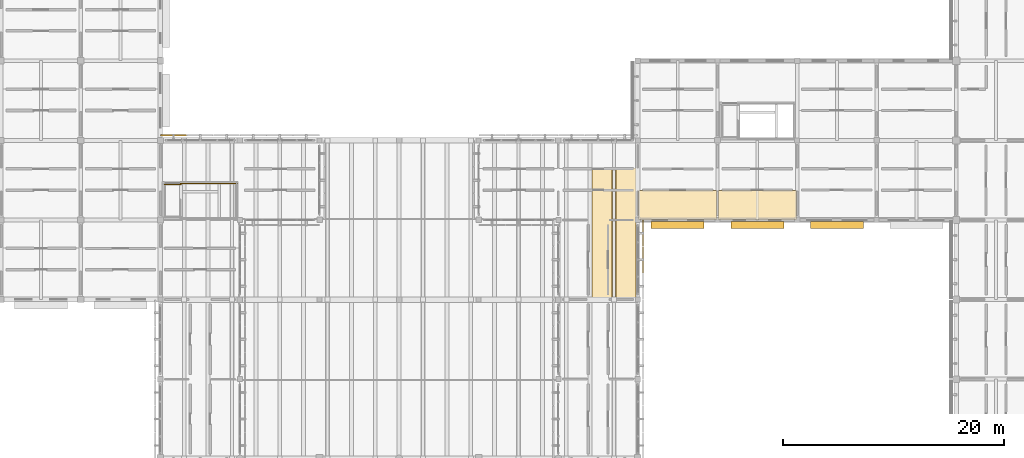
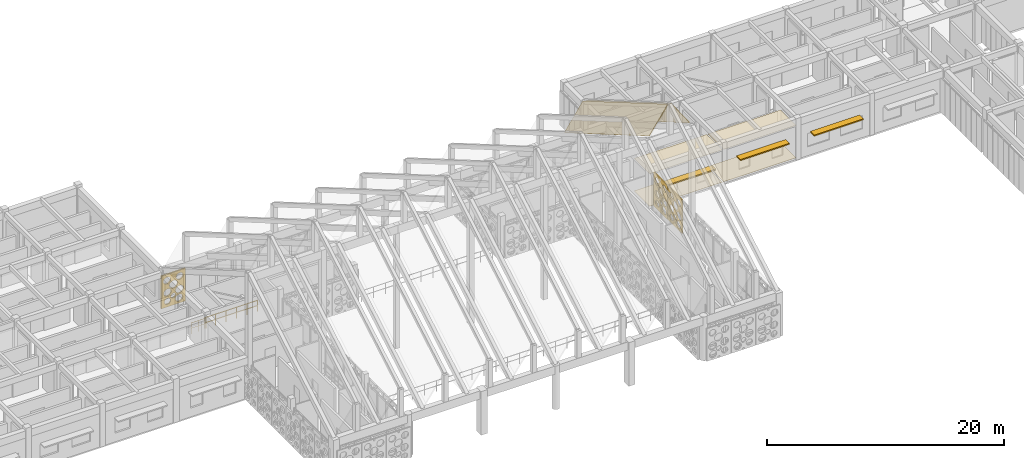
# One storey, part 164 of 171: 9 coverings, 3 shading devices, 2 railings.
"""IFC4 building model written with IfcOpenShell, lengths in metres."""

from ifc_helpers import new_model, si_unit, direction, frame, origin, origin_2d, place, context, subcontext, project, spatial, polyline, rectangle, circle, outline, extrude, material, layer, layer_set, type_object, element, save


model = new_model("IFC4")

# Units and contexts
model_context = context("Model", 3, precision=1e-05, world=origin(), true_north=direction((0.0, 1.0)))
body_context = subcontext(model_context, "Body", "Model", "MODEL_VIEW")
ifc_project = project(units=[si_unit("LENGTHUNIT", "METRE"), si_unit("AREAUNIT", "SQUARE_METRE"), si_unit("VOLUMEUNIT", "CUBIC_METRE"), si_unit("PLANEANGLEUNIT", "RADIAN"), si_unit("MASSUNIT", "GRAM", prefix="KILO")], contexts=[model_context])

# Site, building, storey
site_placement = place(None, origin())
site = spatial("IfcSite", under=ifc_project, at=site_placement, CompositionType="ELEMENT")
building_placement = place(site_placement, origin())
building = spatial("IfcBuilding", under=site, at=building_placement, Name="Aldebral Square Health Centre", CompositionType="ELEMENT")
storey_placement = place(building_placement, frame((0.0, 0.0, 4.5)))
storey = spatial("IfcBuildingStorey", under=building, at=storey_placement, Name="L01", CompositionType="ELEMENT", Elevation=4.5)

# Coverings
ifc_material_1 = material(Name="Hygienic acoustic mineral ceiling tile")
ifc_layer_1 = layer(ifc_material_1, 0.02001953125, Name="Hygienic acoustic mineral ceiling tile")
ifc_layer_set_1 = layer_set([ifc_layer_1], Name="Hygienic acoustic mineral ceiling tile")
covering_type_1 = type_object("IfcCoveringType", Name="COV-CLG-AC", PredefinedType="CEILING", material=ifc_layer_set_1)
covering_1_placement = place(storey_placement, frame((0.0, 0.0, 3.340087890625)))
element("IfcCovering", 1, at=covering_1_placement, inside=storey, type_object=covering_type_1, Name="L01 Endoscopy Diagnostic Suite 16.14S acoustic ceiling", PredefinedType="CEILING", context=body_context, shape_type="SweptSolid", body=[
    extrude(outline(polyline([(108.06005859375, 93.659912109375), (115.139892578125, 93.659912109375), (115.139892578125, 96.280029296875), (108.06005859375, 96.280029296875), (108.06005859375, 93.659912109375)])), origin(), (0.0, 0.0, 1.0), 0.02001953125),
])
covering_2_placement = place(storey_placement, frame((0.0, 0.0, 3.340087890625)))
element("IfcCovering", 2, at=covering_2_placement, inside=storey, type_object=covering_type_1, Name="L01 Clean Supply Store 17.14S acoustic ceiling", PredefinedType="CEILING", context=body_context, shape_type="SweptSolid", body=[
    extrude(outline(polyline([(115.260009765625, 93.659912109375), (122.340087890625, 93.659912109375), (122.340087890625, 96.280029296875), (115.260009765625, 96.280029296875), (115.260009765625, 93.659912109375)])), origin(), (0.0, 0.0, 1.0), 0.02001953125),
])
ifc_material_2 = material(Name="Antimicrobial clinical vinyl flooring")
ifc_layer_2 = layer(ifc_material_2, 0.014892578125, Name="Antimicrobial clinical vinyl flooring")
ifc_layer_set_2 = layer_set([ifc_layer_2], Name="Antimicrobial clinical vinyl flooring")
covering_type_2 = type_object("IfcCoveringType", Name="COV-FLR-VN", PredefinedType="FLOORING", material=ifc_layer_set_2)
covering_3_placement = place(storey_placement, origin())
element("IfcCovering", 3, at=covering_3_placement, inside=storey, type_object=covering_type_2, Name="L01 Endoscopy Diagnostic Suite 16.14S clinical flooring", PredefinedType="FLOORING", context=body_context, shape_type="SweptSolid", body=[
    extrude(outline(polyline([(108.06005859375, 93.659912109375), (115.139892578125, 93.659912109375), (115.139892578125, 96.280029296875), (108.06005859375, 96.280029296875), (108.06005859375, 93.659912109375)])), origin(), (0.0, 0.0, 1.0), 0.014892578125),
])
covering_4_placement = place(storey_placement, origin())
element("IfcCovering", 4, at=covering_4_placement, inside=storey, type_object=covering_type_2, Name="L01 Clean Supply Store 17.14S clinical flooring", PredefinedType="FLOORING", context=body_context, shape_type="SweptSolid", body=[
    extrude(outline(polyline([(115.260009765625, 93.659912109375), (122.340087890625, 93.659912109375), (122.340087890625, 96.280029296875), (115.260009765625, 96.280029296875), (115.260009765625, 93.659912109375)])), origin(), (0.0, 0.0, 1.0), 0.014892578125),
])
ifc_material_3 = material(Name="Insulated mineral standing-seam roofing")
ifc_layer_3 = layer(ifc_material_3, 0.0400390625, Name="Insulated mineral standing-seam roofing")
ifc_layer_set_3 = layer_set([ifc_layer_3], Name="Insulated mineral standing-seam roofing")
covering_type_3 = type_object("IfcCoveringType", Name="COV-RF-40", PredefinedType="ROOFING", material=ifc_layer_set_3)
covering_5_placement = place(storey_placement, frame((105.6650390625, 100.800048828125, 7.37451171875), z_axis=(-0.783125616046, 0.3133373167, 0.537153605085), x_axis=(-0.565638067086, 0.0, -0.82465361035)))
element("IfcCovering", 5, at=covering_5_placement, inside=storey, type_object=covering_type_3, Name="Waiting Hall folded-plate roof bay 10 NW standing-seam roofing", PredefinedType="ROOFING", context=body_context, shape_type="SweptSolid", body=[
    extrude(outline(polyline([(0.0, 0.0), (3.2000296639766255, -5.551115123125783e-17), (-3.6981897333421103, 15.100521563128028), (-6.898219397318735, 15.100521563128028), (0.0, 0.0)])), origin(), (0.0, 0.0, -1.0), 0.0400390625),
])
covering_6_placement = place(storey_placement, frame((107.824951171875, 100.800048828125, 4.735595703125), z_axis=(0.783125616046, 0.3133373167, 0.537153605085), x_axis=(-0.565638067086, 0.0, 0.82465361035)))
element("IfcCovering", 6, at=covering_6_placement, inside=storey, type_object=covering_type_3, Name="Waiting Hall folded-plate roof bay 10 NE standing-seam roofing", PredefinedType="ROOFING", context=body_context, shape_type="SweptSolid", body=[
    extrude(outline(polyline([(0.0, 0.0), (3.2000296639766255, 5.551115123125783e-17), (10.09824906129536, 15.100521563128028), (6.898219397318735, 15.100521563128028), (0.0, 0.0)])), origin(), (0.0, 0.0, -1.0), 0.0400390625),
])
ifc_material_4 = material(Name="Cream cantera perforated stone screen", Category="masonry")
ifc_layer_4 = layer(ifc_material_4, 0.1201171875, Name="Cream cantera perforated stone screen", Category="masonry")
ifc_layer_set_4 = layer_set([ifc_layer_4], Name="Cream cantera perforated stone screen")
covering_type_4 = type_object("IfcCoveringType", Name="COV-SCR-120", PredefinedType="CLADDING", material=ifc_layer_set_4)
covering_7_placement = place(storey_placement, frame((67.179931640625, 101.260009765625, 0.0), z_axis=(0.0, 0.0, 1.0), x_axis=(-1.0, 0.0, 0.0)))
element("IfcCovering", 7, at=covering_7_placement, inside=storey, type_object=covering_type_4, Name="L01 V1 circular-aperture stone screen L01-V1-09-13-N.3", PredefinedType="CLADDING", context=body_context, shape_type="SweptSolid", body=[
    extrude(outline(polyline([(0.0, 0.0), (2.35986328125, 0.0), (2.35986328125, 3.3701171875), (0.0, 3.3701171875), (0.0, 0.0)]), holes=[polyline([(0.973388671875, 0.539306640625), (0.955810546875, 0.427978515625), (0.90478515625, 0.32763671875), (0.8251953125, 0.248046875), (0.724853515625, 0.197021484375), (0.613525390625, 0.17919921875), (0.50244140625, 0.197021484375), (0.402099609375, 0.248046875), (0.322509765625, 0.32763671875), (0.271240234375, 0.427978515625), (0.253662109375, 0.539306640625), (0.271240234375, 0.650390625), (0.322509765625, 0.750732421875), (0.402099609375, 0.830322265625), (0.50244140625, 0.881591796875), (0.613525390625, 0.899169921875), (0.724853515625, 0.881591796875), (0.8251953125, 0.830322265625), (0.90478515625, 0.750732421875), (0.955810546875, 0.650390625), (0.973388671875, 0.539306640625)]), polyline([(2.0546875, 0.572998046875), (2.039794921875, 0.4775390625), (1.995849609375, 0.3916015625), (1.927734375, 0.323486328125), (1.841796875, 0.279541015625), (1.746337890625, 0.264404296875), (1.651123046875, 0.279541015625), (1.565185546875, 0.323486328125), (1.496826171875, 0.3916015625), (1.453125, 0.4775390625), (1.43798828125, 0.572998046875), (1.453125, 0.668212890625), (1.496826171875, 0.754150390625), (1.565185546875, 0.822509765625), (1.651123046875, 0.8662109375), (1.746337890625, 0.88134765625), (1.841796875, 0.8662109375), (1.927734375, 0.822509765625), (1.995849609375, 0.754150390625), (2.039794921875, 0.668212890625), (2.0546875, 0.572998046875)]), polyline([(0.9619140625, 1.415283203125), (0.942626953125, 1.293212890625), (0.886474609375, 1.182861328125), (0.798828125, 1.095458984375), (0.688720703125, 1.039306640625), (0.56640625, 1.02001953125), (0.444091796875, 1.039306640625), (0.333984375, 1.095458984375), (0.246337890625, 1.182861328125), (0.190185546875, 1.293212890625), (0.1708984375, 1.415283203125), (0.190185546875, 1.53759765625), (0.246337890625, 1.64794921875), (0.333984375, 1.7353515625), (0.444091796875, 1.79150390625), (0.56640625, 1.810791015625), (0.688720703125, 1.79150390625), (0.798828125, 1.7353515625), (0.886474609375, 1.64794921875), (0.942626953125, 1.53759765625), (0.9619140625, 1.415283203125)]), polyline([(2.117919921875, 1.48291015625), (2.099853515625, 1.367919921875), (2.047119140625, 1.264404296875), (1.96484375, 1.18212890625), (1.861328125, 1.12939453125), (1.746337890625, 1.111083984375), (1.631591796875, 1.12939453125), (1.528076171875, 1.18212890625), (1.44580078125, 1.264404296875), (1.39306640625, 1.367919921875), (1.374755859375, 1.48291015625), (1.39306640625, 1.59765625), (1.44580078125, 1.701171875), (1.528076171875, 1.783447265625), (1.631591796875, 1.836181640625), (1.746337890625, 1.8544921875), (1.861328125, 1.836181640625), (1.96484375, 1.783447265625), (2.047119140625, 1.701171875), (2.099853515625, 1.59765625), (2.117919921875, 1.48291015625)]), polyline([(1.4248046875, 0.977294921875), (1.412841796875, 0.901611328125), (1.3779296875, 0.83349609375), (1.32373046875, 0.779296875), (1.255615234375, 0.74462890625), (1.179931640625, 0.732666015625), (1.1044921875, 0.74462890625), (1.0361328125, 0.779296875), (0.98193359375, 0.83349609375), (0.947265625, 0.901611328125), (0.935302734375, 0.977294921875), (0.947265625, 1.052978515625), (0.98193359375, 1.12109375), (1.0361328125, 1.17529296875), (1.1044921875, 1.2099609375), (1.179931640625, 1.221923828125), (1.255615234375, 1.2099609375), (1.32373046875, 1.17529296875), (1.3779296875, 1.12109375), (1.412841796875, 1.052978515625), (1.4248046875, 0.977294921875)]), polyline([(1.555419921875, 2.123046875), (1.535888671875, 1.999755859375), (1.479248046875, 1.888427734375), (1.390869140625, 1.80029296875), (1.27978515625, 1.74365234375), (1.156494140625, 1.72412109375), (1.032958984375, 1.74365234375), (0.921875, 1.80029296875), (0.83349609375, 1.888427734375), (0.77685546875, 1.999755859375), (0.75732421875, 2.123046875), (0.77685546875, 2.246337890625), (0.83349609375, 2.357666015625), (0.921875, 2.446044921875), (1.032958984375, 2.502685546875), (1.156494140625, 2.522216796875), (1.27978515625, 2.502685546875), (1.390869140625, 2.446044921875), (1.479248046875, 2.357666015625), (1.535888671875, 2.246337890625), (1.555419921875, 2.123046875)]), polyline([(0.904296875, 2.763427734375), (0.8876953125, 2.658935546875), (0.839599609375, 2.56494140625), (0.764892578125, 2.490234375), (0.6708984375, 2.442138671875), (0.56640625, 2.425537109375), (0.4619140625, 2.442138671875), (0.367919921875, 2.490234375), (0.293212890625, 2.56494140625), (0.2451171875, 2.658935546875), (0.228515625, 2.763427734375), (0.2451171875, 2.86767578125), (0.293212890625, 2.9619140625), (0.367919921875, 3.03662109375), (0.4619140625, 3.084716796875), (0.56640625, 3.101318359375), (0.6708984375, 3.084716796875), (0.764892578125, 3.03662109375), (0.839599609375, 2.9619140625), (0.8876953125, 2.86767578125), (0.904296875, 2.763427734375)]), polyline([(2.14599609375, 2.729736328125), (2.12890625, 2.620849609375), (2.078857421875, 2.5224609375), (2.000732421875, 2.444580078125), (1.902587890625, 2.39453125), (1.793701171875, 2.377197265625), (1.6845703125, 2.39453125), (1.58642578125, 2.444580078125), (1.50830078125, 2.5224609375), (1.458251953125, 2.620849609375), (1.441162109375, 2.729736328125), (1.458251953125, 2.838623046875), (1.50830078125, 2.93701171875), (1.58642578125, 3.014892578125), (1.6845703125, 3.06494140625), (1.793701171875, 3.082275390625), (1.902587890625, 3.06494140625), (2.000732421875, 3.014892578125), (2.078857421875, 2.93701171875), (2.12890625, 2.838623046875), (2.14599609375, 2.729736328125)])]), frame((0.0, 0.06005859375, 0.0), z_axis=(0.0, -1.0, 0.0), x_axis=(1.0, 0.0, 0.0)), (0.0, 0.0, 1.0), 0.1201171875),
])
covering_8_placement = place(storey_placement, frame((108.4599609375, 88.820068359375, 0.0), z_axis=(0.0, 0.0, 1.0), x_axis=(0.0, 1.0, 0.0)))
element("IfcCovering", 8, at=covering_8_placement, inside=storey, type_object=covering_type_4, Name="L01 V1 circular-aperture stone screen L01-V1-14-12-E.2", PredefinedType="CLADDING", context=body_context, shape_type="SweptSolid", body=[
    extrude(outline(polyline([(0.0, 0.0), (2.35986328125, 0.0), (2.35986328125, 3.469970703125), (0.0, 3.469970703125), (0.0, 0.0)]), holes=[polyline([(0.98486328125, 0.55517578125), (0.966552734375, 0.4404296875), (0.913818359375, 0.3369140625), (0.831787109375, 0.2548828125), (0.728271484375, 0.2021484375), (0.613525390625, 0.18408203125), (0.498779296875, 0.2021484375), (0.3955078125, 0.2548828125), (0.313232421875, 0.3369140625), (0.260498046875, 0.4404296875), (0.242431640625, 0.55517578125), (0.260498046875, 0.669921875), (0.313232421875, 0.7734375), (0.3955078125, 0.85546875), (0.498779296875, 0.908203125), (0.613525390625, 0.926513671875), (0.728271484375, 0.908203125), (0.831787109375, 0.85546875), (0.913818359375, 0.7734375), (0.966552734375, 0.669921875), (0.98486328125, 0.55517578125)]), polyline([(2.059326171875, 0.58984375), (2.0439453125, 0.4931640625), (1.99951171875, 0.406005859375), (1.930419921875, 0.336669921875), (1.843017578125, 0.292236328125), (1.746337890625, 0.277099609375), (1.649658203125, 0.292236328125), (1.5625, 0.336669921875), (1.4931640625, 0.406005859375), (1.44873046875, 0.4931640625), (1.43359375, 0.58984375), (1.44873046875, 0.6865234375), (1.4931640625, 0.77392578125), (1.5625, 0.843017578125), (1.649658203125, 0.887451171875), (1.746337890625, 0.90283203125), (1.843017578125, 0.887451171875), (1.930419921875, 0.843017578125), (1.99951171875, 0.77392578125), (2.0439453125, 0.6865234375), (2.059326171875, 0.58984375)]), polyline([(0.970703125, 1.45751953125), (0.950927734375, 1.33251953125), (0.8935546875, 1.2197265625), (0.803955078125, 1.13037109375), (0.69140625, 1.072998046875), (0.56640625, 1.052978515625), (0.44140625, 1.072998046875), (0.328857421875, 1.13037109375), (0.2392578125, 1.2197265625), (0.181884765625, 1.33251953125), (0.162109375, 1.45751953125), (0.181884765625, 1.582275390625), (0.2392578125, 1.695068359375), (0.328857421875, 1.784423828125), (0.44140625, 1.841796875), (0.56640625, 1.86181640625), (0.69140625, 1.841796875), (0.803955078125, 1.784423828125), (0.8935546875, 1.695068359375), (0.950927734375, 1.582275390625), (0.970703125, 1.45751953125)]), polyline([(2.124267578125, 1.52685546875), (2.105712890625, 1.41015625), (2.052001953125, 1.3046875), (1.968505859375, 1.22119140625), (1.863037109375, 1.16748046875), (1.746337890625, 1.14892578125), (1.629638671875, 1.16748046875), (1.5244140625, 1.22119140625), (1.440673828125, 1.3046875), (1.38720703125, 1.41015625), (1.36865234375, 1.52685546875), (1.38720703125, 1.6435546875), (1.440673828125, 1.748779296875), (1.5244140625, 1.83251953125), (1.629638671875, 1.88623046875), (1.746337890625, 1.904541015625), (1.863037109375, 1.88623046875), (1.968505859375, 1.83251953125), (2.052001953125, 1.748779296875), (2.105712890625, 1.6435546875), (2.124267578125, 1.52685546875)]), polyline([(1.42431640625, 1.00634765625), (1.412353515625, 0.9306640625), (1.377685546875, 0.862548828125), (1.32373046875, 0.80859375), (1.255615234375, 0.77392578125), (1.179931640625, 0.761962890625), (1.1044921875, 0.77392578125), (1.036376953125, 0.80859375), (0.982177734375, 0.862548828125), (0.947509765625, 0.9306640625), (0.935546875, 1.00634765625), (0.947509765625, 1.081787109375), (0.982177734375, 1.14990234375), (1.036376953125, 1.2041015625), (1.1044921875, 1.23876953125), (1.179931640625, 1.250732421875), (1.255615234375, 1.23876953125), (1.32373046875, 1.2041015625), (1.377685546875, 1.14990234375), (1.412353515625, 1.081787109375), (1.42431640625, 1.00634765625)]), polyline([(1.563232421875, 2.18603515625), (1.54345703125, 2.060302734375), (1.485595703125, 1.947021484375), (1.3955078125, 1.85693359375), (1.2822265625, 1.799072265625), (1.156494140625, 1.779296875), (1.03076171875, 1.799072265625), (0.917236328125, 1.85693359375), (0.8271484375, 1.947021484375), (0.76953125, 2.060302734375), (0.74951171875, 2.18603515625), (0.76953125, 2.311767578125), (0.8271484375, 2.42529296875), (0.917236328125, 2.515380859375), (1.03076171875, 2.572998046875), (1.156494140625, 2.593017578125), (1.2822265625, 2.572998046875), (1.3955078125, 2.515380859375), (1.485595703125, 2.42529296875), (1.54345703125, 2.311767578125), (1.563232421875, 2.18603515625)]), polyline([(0.9091796875, 2.845458984375), (0.892333984375, 2.739501953125), (0.84375, 2.64404296875), (0.767822265625, 2.568115234375), (0.67236328125, 2.51953125), (0.56640625, 2.502685546875), (0.46044921875, 2.51953125), (0.364990234375, 2.568115234375), (0.2890625, 2.64404296875), (0.240478515625, 2.739501953125), (0.2236328125, 2.845458984375), (0.240478515625, 2.951416015625), (0.2890625, 3.046875), (0.364990234375, 3.12255859375), (0.46044921875, 3.17138671875), (0.56640625, 3.18798828125), (0.67236328125, 3.17138671875), (0.767822265625, 3.12255859375), (0.84375, 3.046875), (0.892333984375, 2.951416015625), (0.9091796875, 2.845458984375)]), polyline([(2.1513671875, 2.810791015625), (2.1337890625, 2.7001953125), (2.0830078125, 2.600341796875), (2.00390625, 2.521240234375), (1.904052734375, 2.470458984375), (1.793701171875, 2.452880859375), (1.68310546875, 2.470458984375), (1.583251953125, 2.521240234375), (1.504150390625, 2.600341796875), (1.453369140625, 2.7001953125), (1.435791015625, 2.810791015625), (1.453369140625, 2.921142578125), (1.504150390625, 3.02099609375), (1.583251953125, 3.10009765625), (1.68310546875, 3.15087890625), (1.793701171875, 3.16845703125), (1.904052734375, 3.15087890625), (2.00390625, 3.10009765625), (2.0830078125, 3.02099609375), (2.1337890625, 2.921142578125), (2.1513671875, 2.810791015625)])]), frame((0.0, 0.06005859375, 0.0), z_axis=(0.0, -1.0, 0.0), x_axis=(1.0, 0.0, 0.0)), (0.0, 0.0, 1.0), 0.1201171875),
])
covering_9_placement = place(storey_placement, frame((108.4599609375, 91.219970703125, 0.0), z_axis=(0.0, 0.0, 1.0), x_axis=(0.0, 1.0, 0.0)))
element("IfcCovering", 9, at=covering_9_placement, inside=storey, type_object=covering_type_4, Name="L01 V1 circular-aperture stone screen L01-V1-14-12-E.3", PredefinedType="CLADDING", context=body_context, shape_type="SweptSolid", body=[
    extrude(outline(polyline([(0.0, 0.0), (2.360107421875, 0.0), (2.360107421875, 3.469970703125), (0.0, 3.469970703125), (0.0, 0.0)]), holes=[polyline([(0.98486328125, 0.55517578125), (0.966552734375, 0.4404296875), (0.913818359375, 0.3369140625), (0.831787109375, 0.2548828125), (0.728271484375, 0.2021484375), (0.613525390625, 0.18408203125), (0.498779296875, 0.2021484375), (0.3955078125, 0.2548828125), (0.313232421875, 0.3369140625), (0.260498046875, 0.4404296875), (0.242431640625, 0.55517578125), (0.260498046875, 0.669921875), (0.313232421875, 0.7734375), (0.3955078125, 0.85546875), (0.498779296875, 0.908203125), (0.613525390625, 0.926513671875), (0.728271484375, 0.908203125), (0.831787109375, 0.85546875), (0.913818359375, 0.7734375), (0.966552734375, 0.669921875), (0.98486328125, 0.55517578125)]), polyline([(2.059326171875, 0.58984375), (2.0439453125, 0.4931640625), (1.99951171875, 0.406005859375), (1.930419921875, 0.336669921875), (1.843017578125, 0.292236328125), (1.746337890625, 0.277099609375), (1.649658203125, 0.292236328125), (1.5625, 0.336669921875), (1.4931640625, 0.406005859375), (1.44873046875, 0.4931640625), (1.43359375, 0.58984375), (1.44873046875, 0.6865234375), (1.4931640625, 0.77392578125), (1.5625, 0.843017578125), (1.649658203125, 0.887451171875), (1.746337890625, 0.90283203125), (1.843017578125, 0.887451171875), (1.930419921875, 0.843017578125), (1.99951171875, 0.77392578125), (2.0439453125, 0.6865234375), (2.059326171875, 0.58984375)]), polyline([(0.970703125, 1.45751953125), (0.950927734375, 1.33251953125), (0.8935546875, 1.2197265625), (0.803955078125, 1.13037109375), (0.69140625, 1.072998046875), (0.56640625, 1.052978515625), (0.44140625, 1.072998046875), (0.328857421875, 1.13037109375), (0.2392578125, 1.2197265625), (0.181884765625, 1.33251953125), (0.162109375, 1.45751953125), (0.181884765625, 1.582275390625), (0.2392578125, 1.695068359375), (0.328857421875, 1.784423828125), (0.44140625, 1.841796875), (0.56640625, 1.86181640625), (0.69140625, 1.841796875), (0.803955078125, 1.784423828125), (0.8935546875, 1.695068359375), (0.950927734375, 1.582275390625), (0.970703125, 1.45751953125)]), polyline([(2.124267578125, 1.52685546875), (2.105712890625, 1.41015625), (2.052001953125, 1.3046875), (1.968505859375, 1.22119140625), (1.863037109375, 1.16748046875), (1.746337890625, 1.14892578125), (1.629638671875, 1.16748046875), (1.5244140625, 1.22119140625), (1.440673828125, 1.3046875), (1.38720703125, 1.41015625), (1.36865234375, 1.52685546875), (1.38720703125, 1.6435546875), (1.440673828125, 1.748779296875), (1.5244140625, 1.83251953125), (1.629638671875, 1.88623046875), (1.746337890625, 1.904541015625), (1.863037109375, 1.88623046875), (1.968505859375, 1.83251953125), (2.052001953125, 1.748779296875), (2.105712890625, 1.6435546875), (2.124267578125, 1.52685546875)]), polyline([(1.42431640625, 1.00634765625), (1.412353515625, 0.9306640625), (1.377685546875, 0.862548828125), (1.32373046875, 0.80859375), (1.255615234375, 0.77392578125), (1.179931640625, 0.761962890625), (1.1044921875, 0.77392578125), (1.036376953125, 0.80859375), (0.982177734375, 0.862548828125), (0.947509765625, 0.9306640625), (0.935546875, 1.00634765625), (0.947509765625, 1.081787109375), (0.982177734375, 1.14990234375), (1.036376953125, 1.2041015625), (1.1044921875, 1.23876953125), (1.179931640625, 1.250732421875), (1.255615234375, 1.23876953125), (1.32373046875, 1.2041015625), (1.377685546875, 1.14990234375), (1.412353515625, 1.081787109375), (1.42431640625, 1.00634765625)]), polyline([(1.563232421875, 2.18603515625), (1.54345703125, 2.060302734375), (1.485595703125, 1.947021484375), (1.3955078125, 1.85693359375), (1.2822265625, 1.799072265625), (1.156494140625, 1.779296875), (1.03076171875, 1.799072265625), (0.917236328125, 1.85693359375), (0.8271484375, 1.947021484375), (0.76953125, 2.060302734375), (0.74951171875, 2.18603515625), (0.76953125, 2.311767578125), (0.8271484375, 2.42529296875), (0.917236328125, 2.515380859375), (1.03076171875, 2.572998046875), (1.156494140625, 2.593017578125), (1.2822265625, 2.572998046875), (1.3955078125, 2.515380859375), (1.485595703125, 2.42529296875), (1.54345703125, 2.311767578125), (1.563232421875, 2.18603515625)]), polyline([(0.9091796875, 2.845458984375), (0.892333984375, 2.739501953125), (0.84375, 2.64404296875), (0.767822265625, 2.568115234375), (0.67236328125, 2.51953125), (0.56640625, 2.502685546875), (0.46044921875, 2.51953125), (0.364990234375, 2.568115234375), (0.2890625, 2.64404296875), (0.240478515625, 2.739501953125), (0.2236328125, 2.845458984375), (0.240478515625, 2.951416015625), (0.2890625, 3.046875), (0.364990234375, 3.12255859375), (0.46044921875, 3.17138671875), (0.56640625, 3.18798828125), (0.67236328125, 3.17138671875), (0.767822265625, 3.12255859375), (0.84375, 3.046875), (0.892333984375, 2.951416015625), (0.9091796875, 2.845458984375)]), polyline([(2.1513671875, 2.810791015625), (2.1337890625, 2.7001953125), (2.0830078125, 2.600341796875), (2.00390625, 2.521240234375), (1.904052734375, 2.470458984375), (1.793701171875, 2.452880859375), (1.68310546875, 2.470458984375), (1.583251953125, 2.521240234375), (1.504150390625, 2.600341796875), (1.453369140625, 2.7001953125), (1.435791015625, 2.810791015625), (1.453369140625, 2.921142578125), (1.504150390625, 3.02099609375), (1.583251953125, 3.10009765625), (1.68310546875, 3.15087890625), (1.793701171875, 3.16845703125), (1.904052734375, 3.15087890625), (2.00390625, 3.10009765625), (2.0830078125, 3.02099609375), (2.1337890625, 2.921142578125), (2.1513671875, 2.810791015625)])]), frame((0.0, 0.06005859375, 0.0), z_axis=(0.0, -1.0, 0.0), x_axis=(1.0, 0.0, 0.0)), (0.0, 0.0, 1.0), 0.1201171875),
])

# Railings
ifc_material_5 = material(Name="Painted steel S355JR stair guard", Category="steel")
railing_type = type_object("IfcRailingType", Name="RL-ST-GRD", PredefinedType="GUARDRAIL", material=ifc_material_5)
railing_1_placement = place(storey_placement, frame((66.580078125, 96.889892578125, 0.0)))
element("IfcRailing", 10, at=railing_1_placement, inside=storey, type_object=railing_type, Name="L01 ST-07 top well guard 3", PredefinedType="GUARDRAIL", context=body_context, shape_type="SweptSolid", body=[
    extrude(circle(Radius=0.02392578125, at=origin_2d()), frame((0.0, 0.0, 1.09619140625), z_axis=(1.0, 0.0, 0.0), x_axis=(0.0, 1.0, 0.0)), (0.0, 0.0, 1.0), 5.139892578125),
    extrude(circle(Radius=0.02392578125, at=origin_2d()), frame((0.0, 0.0, 0.56005859375), z_axis=(1.0, 0.0, 0.0), x_axis=(0.0, 1.0, 0.0)), (0.0, 0.0, 1.0), 5.139892578125),
    extrude(circle(Radius=0.02099609375, at=origin_2d()), origin(), (0.0, 0.0, 1.0), 1.072021484375),
    extrude(circle(Radius=0.02099609375, at=origin_2d()), frame((1.028076171875, 0.0, 0.0)), (0.0, 0.0, 1.0), 1.072021484375),
    extrude(circle(Radius=0.02099609375, at=origin_2d()), frame((2.055908203125, 0.0, 0.0)), (0.0, 0.0, 1.0), 1.072021484375),
    extrude(circle(Radius=0.02099609375, at=origin_2d()), frame((3.083984375, 0.0, 0.0)), (0.0, 0.0, 1.0), 1.072021484375),
    extrude(circle(Radius=0.02099609375, at=origin_2d()), frame((4.11181640625, 0.0, 0.0)), (0.0, 0.0, 1.0), 1.072021484375),
    extrude(circle(Radius=0.02099609375, at=origin_2d()), frame((5.139892578125, 0.0, 0.0)), (0.0, 0.0, 1.0), 1.072021484375),
])
railing_2_placement = place(storey_placement, frame((65.179931640625, 96.7900390625, 0.0)))
element("IfcRailing", 11, at=railing_2_placement, inside=storey, type_object=railing_type, Name="L01 ST-07 top well guard 6", PredefinedType="GUARDRAIL", context=body_context, shape_type="SweptSolid", body=[
    extrude(circle(Radius=0.02392578125, at=origin_2d()), frame((0.0, 0.0, 1.09619140625), z_axis=(1.0, 0.0, 0.0), x_axis=(0.0, 1.0, 0.0)), (0.0, 0.0, 1.0), 1.5),
    extrude(circle(Radius=0.02392578125, at=origin_2d()), frame((0.0, 0.0, 0.56005859375), z_axis=(1.0, 0.0, 0.0), x_axis=(0.0, 1.0, 0.0)), (0.0, 0.0, 1.0), 1.5),
    extrude(circle(Radius=0.02099609375, at=origin_2d()), origin(), (0.0, 0.0, 1.0), 1.072021484375),
    extrude(circle(Radius=0.02099609375, at=origin_2d()), frame((0.75, 0.0, 0.0)), (0.0, 0.0, 1.0), 1.072021484375),
    extrude(circle(Radius=0.02099609375, at=origin_2d()), frame((1.5, 0.0, 0.0)), (0.0, 0.0, 1.0), 1.072021484375),
])

# Shading devices
ifc_material_6 = material(Name="Sienna-terracotta solar hood", Category="masonry")
shading_device_type = type_object("IfcShadingDeviceType", Name="SHD-LVR-1", PredefinedType="JALOUSIE", material=ifc_material_6)
for number, where, z_axis, x_axis, name in (
    (12, (111.60009765625, 93.135009765625, 2.169921875), (0.0, 0.0, 1.0), (1.0, 0.0, 0.0), "L01 solar hood L01-V5-15-13-S"),
    (13, (118.800048828125, 93.135009765625, 2.300048828125), (0.0, 0.0, 1.0), (1.0, 0.0, 0.0), "L01 solar hood L01-V5-16-13-S"),
    (14, (126.0, 93.135009765625, 2.300048828125), (0.0, 0.0, 1.0), (1.0, 0.0, 0.0), "L01 solar hood L01-V5-17-13-S"),
):
    element("IfcShadingDevice", number, at=place(storey_placement, frame(where, z_axis=z_axis, x_axis=x_axis)), inside=storey, type_object=shading_device_type, Name=name, PredefinedType="JALOUSIE", context=body_context, shape_type="SweptSolid", body=[
        extrude(rectangle(XDim=4.800048828125, YDim=0.64990234375, at=origin_2d()), origin(), (0.0, 0.0, 1.0), 0.1201171875),
    ])

save(model, "model.ifc")
